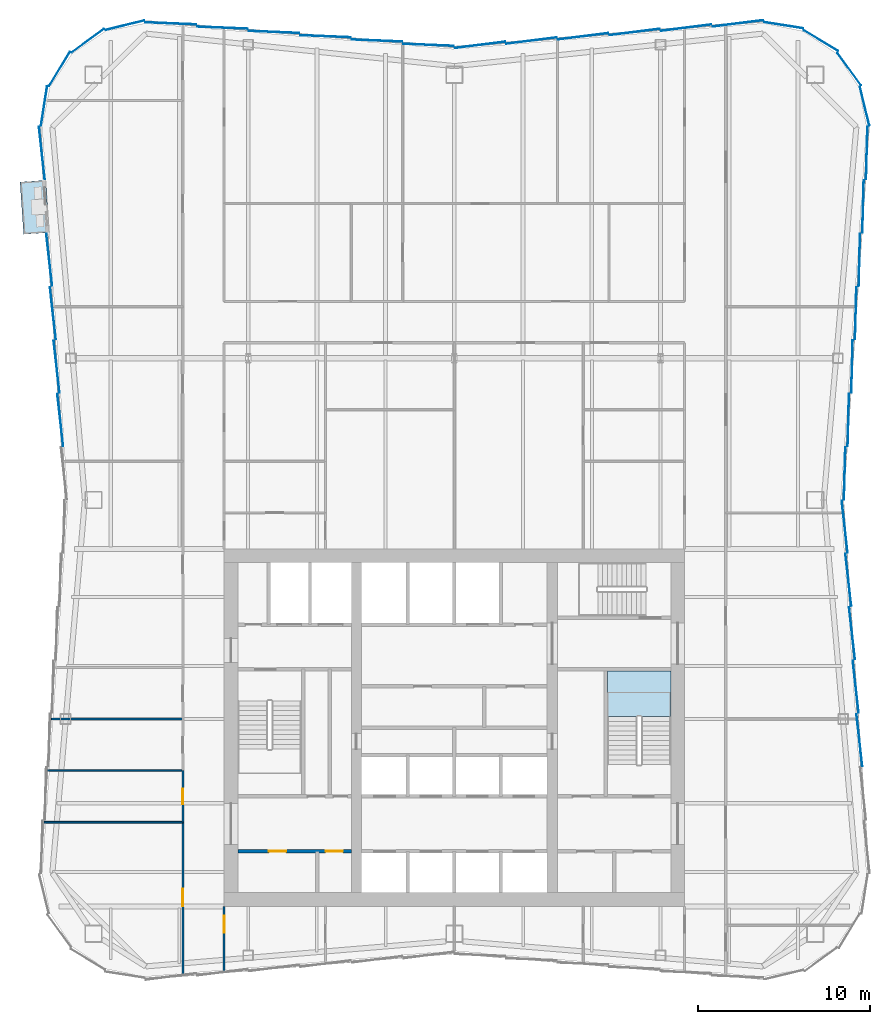
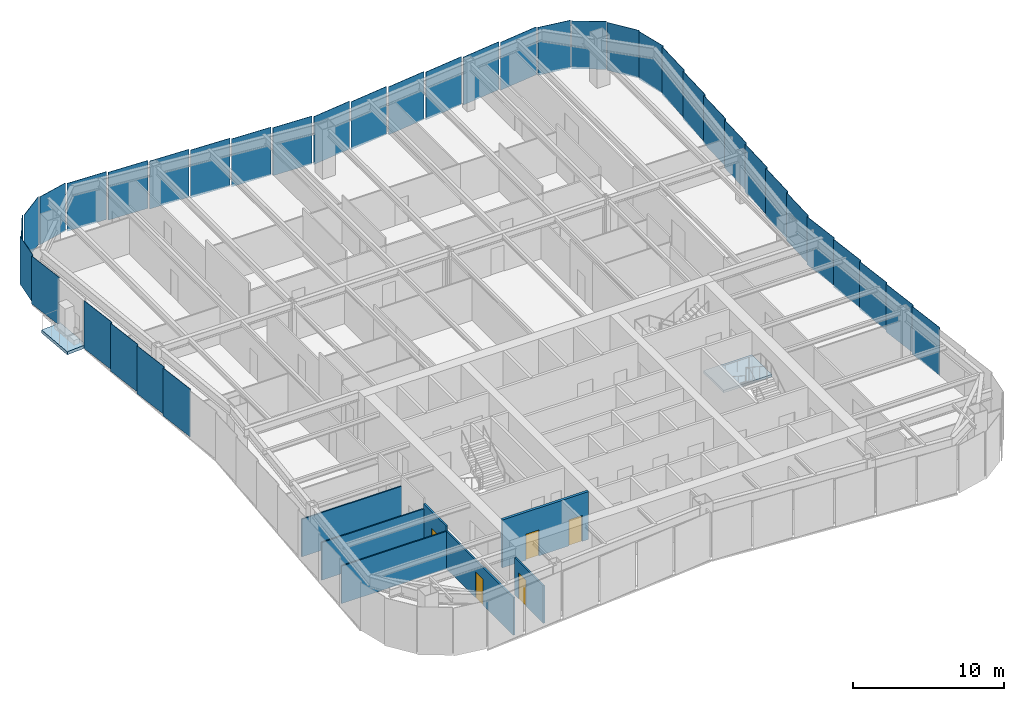
# One storey, part 5 of 11: 37 plates, 7 walls, 5 doors, 2 slabs, 5 openings, 6 elements without a shape of their own.
"""IFC4 building model written with IfcOpenShell, lengths in metres."""

from ifc_helpers import new_model, si_unit, direction, frame, frame_2d, origin, origin_2d, place, context, subcontext, project, spatial, polyline, rectangle, outline, extrude, material, layer, layer_set, type_object, element, fill, aggregate, save


model = new_model("IFC4")

# Units and contexts
model_context = context("Model", 3, precision=1e-05, world=origin(), true_north=direction((0.0, 1.0)))
body_context = subcontext(model_context, "Body", "Model", "MODEL_VIEW")
ifc_project = project(units=[si_unit("LENGTHUNIT", "METRE"), si_unit("AREAUNIT", "SQUARE_METRE"), si_unit("VOLUMEUNIT", "CUBIC_METRE"), si_unit("PLANEANGLEUNIT", "RADIAN"), si_unit("MASSUNIT", "GRAM", prefix="KILO")], contexts=[model_context])

# Site, building, storey
site_placement = place(None, origin())
site = spatial("IfcSite", under=ifc_project, at=site_placement, CompositionType="ELEMENT")
building_placement = place(site_placement, origin())
building = spatial("IfcBuilding", under=site, at=building_placement, Name="Verdant Reach Tower", CompositionType="ELEMENT")
storey_placement = place(building_placement, frame((0.0, 0.0, 258.0)))
storey = spatial("IfcBuildingStorey", under=building, at=storey_placement, Name="L59", CompositionType="ELEMENT", Elevation=258.0)

# Stair, slab
ifc_material_1 = material(Name="Concrete C40/50", Category="concrete")
stair_type = type_object("IfcStairType", Name="CO-STAIR", PredefinedType="HALF_TURN_STAIR", material=ifc_material_1)
stair_placement = place(storey_placement, origin())
stair = element("IfcStair", 1, at=stair_placement, inside=storey, type_object=stair_type, Name="L59 Exit stair 2", PredefinedType="HALF_TURN_STAIR")
ifc_layer_1 = layer(ifc_material_1, 0.199951171875)
ifc_layer_set_1 = layer_set([ifc_layer_1], Name="CO-STAIR-LANDING")
slab_type_1 = type_object("IfcSlabType", Name="CO-STAIR-LANDING", PredefinedType="LANDING", material=ifc_layer_set_1)
slab_1_placement = place(storey_placement, frame((0.0, 0.0, 1.800048828125)))
slab_1 = element("IfcSlab", 2, at=slab_1_placement, type_object=slab_type_1, Name="ST-2 landing 1", PredefinedType="LANDING", context=body_context, shape_type="SweptSolid", body=[
    extrude(outline(polyline([(12.60009765625, 28.64990234375), (12.60009765625, 31.300048828125), (8.89990234375, 31.300048828125), (8.89990234375, 28.64990234375), (12.60009765625, 28.64990234375)])), origin(), (0.0, 0.0, 1.0), 0.199951171875),
])
aggregate(stair, [slab_1])

# Slab
ifc_material_2 = material(Name="Concrete C35/45", Category="concrete")
ifc_layer_2 = layer(ifc_material_2, 0.25)
ifc_layer_set_2 = layer_set([ifc_layer_2], Name="EN-BALCONY SLAB")
slab_type_2 = type_object("IfcSlabType", Name="EN-BALCONY SLAB", PredefinedType="FLOOR", material=ifc_layer_set_2)
slab_2_placement = place(storey_placement, frame((0.0, 0.0, -0.25)))
element("IfcSlab", 3, at=slab_2_placement, inside=storey, type_object=slab_type_2, Name="Balcony slab 1, L59", PredefinedType="FLOOR", context=body_context, shape_type="SweptSolid", body=[
    extrude(outline(polyline([(-23.783447265625, 59.85888671875), (-23.57373046875, 56.819580078125), (-25.0703125, 56.71630859375), (-25.27978515625, 59.755615234375), (-23.783447265625, 59.85888671875)])), origin(), (0.0, 0.0, 1.0), 0.25),
])

# Curtain wall, plates
ifc_material_3 = material(Name="Anodised aluminium", Category="aluminium")
curtain_wall_type = type_object("IfcCurtainWallType", Name="EN-CW SYSTEM Z4", PredefinedType="NOTDEFINED", material=ifc_material_3)
curtain_wall_1_placement = place(storey_placement, origin())
curtain_wall_1 = element("IfcCurtainWall", 4, at=curtain_wall_1_placement, inside=storey, type_object=curtain_wall_type, Name="Curtain wall east, L59", PredefinedType="NOTDEFINED")
ifc_material_4 = material(Name="Tinted glass with champagne spandrel", Category="glass")
ifc_layer_3 = layer(ifc_material_4, 0.031982421875)
ifc_layer_set_3 = layer_set([ifc_layer_3], Name="EN-PANEL CHAMPAGNE")
plate_type_1 = type_object("IfcPlateType", Name="EN-PANEL CHAMPAGNE", PredefinedType="CURTAIN_PANEL", material=ifc_layer_set_3)
plate_1_placement = place(storey_placement, frame((23.575927734375, 27.275634765625, -0.221923828125), z_axis=(0.0, 0.0, 1.0), x_axis=(-0.110518162674, 0.993874104562, 0.0)))
plate_1 = element("IfcPlate", 5, at=plate_1_placement, type_object=plate_type_1, Name="Glass panel east face part 1 3.1, L59", PredefinedType="CURTAIN_PANEL", context=body_context, shape_type="SweptSolid", body=[
    extrude(rectangle(XDim=3.050537109375, YDim=0.031982421875, at=origin_2d()), origin(), (0.0, 0.0, 1.0), 3.8720703125),
])
plate_2_placement = place(storey_placement, frame((23.36181640625, 30.3828125, -0.221923828125), z_axis=(0.0, 0.0, 1.0), x_axis=(-0.110518162674, 0.993874104562, 0.0)))
plate_2 = element("IfcPlate", 6, at=plate_2_placement, type_object=plate_type_1, Name="Glass panel east face part 1 4.1, L59", PredefinedType="CURTAIN_PANEL", context=body_context, shape_type="SweptSolid", body=[
    extrude(rectangle(XDim=3.050537109375, YDim=0.031982421875, at=origin_2d()), origin(), (0.0, 0.0, 1.0), 3.8720703125),
])
plate_3_placement = place(storey_placement, frame((23.36181640625, 52.1171875, -0.221923828125), z_axis=(0.0, 0.0, 1.0), x_axis=(0.026965318308, 0.999636369691, 0.0)))
plate_3 = element("IfcPlate", 7, at=plate_3_placement, type_object=plate_type_1, Name="Glass panel east face part 2 4.1, L59", PredefinedType="CURTAIN_PANEL", context=body_context, shape_type="SweptSolid", body=[
    extrude(rectangle(XDim=3.050537109375, YDim=0.031982421875, at=origin_2d()), origin(), (0.0, 0.0, 1.0), 3.8720703125),
])
plate_4_placement = place(storey_placement, frame((23.575927734375, 55.224365234375, -0.221923828125), z_axis=(0.0, 0.0, 1.0), x_axis=(0.026965318308, 0.999636369691, 0.0)))
plate_4 = element("IfcPlate", 8, at=plate_4_placement, type_object=plate_type_1, Name="Glass panel east face part 2 5.1, L59", PredefinedType="CURTAIN_PANEL", context=body_context, shape_type="SweptSolid", body=[
    extrude(rectangle(XDim=3.050537109375, YDim=0.031982421875, at=origin_2d()), origin(), (0.0, 0.0, 1.0), 3.8720703125),
])

curtain_wall_2_placement = place(storey_placement, origin())
curtain_wall_2 = element("IfcCurtainWall", 9, at=curtain_wall_2_placement, inside=storey, type_object=curtain_wall_type, Name="Curtain wall north-east corner, L59", PredefinedType="NOTDEFINED")
plate_5_placement = place(storey_placement, frame((22.984375, 66.330322265625, -0.221923828125), z_axis=(0.0, 0.0, 1.0), x_axis=(-0.589926737254, 0.80745677573, 0.0)))
plate_5 = element("IfcPlate", 10, at=plate_5_placement, type_object=plate_type_1, Name="Glass panel north-east corner 2.1, L59", PredefinedType="CURTAIN_PANEL", context=body_context, shape_type="SweptSolid", body=[
    extrude(rectangle(XDim=2.32080078125, YDim=0.031982421875, at=origin_2d()), origin(), (0.0, 0.0, 1.0), 3.8720703125),
])
plate_6_placement = place(storey_placement, frame((21.330322265625, 67.984375, -0.221923828125), z_axis=(0.0, 0.0, 1.0), x_axis=(-0.853988708265, 0.520291539577, 0.0)))
plate_6 = element("IfcPlate", 11, at=plate_6_placement, type_object=plate_type_1, Name="Glass panel north-east corner 3.1, L59", PredefinedType="CURTAIN_PANEL", context=body_context, shape_type="SweptSolid", body=[
    extrude(rectangle(XDim=2.32080078125, YDim=0.031982421875, at=origin_2d()), origin(), (0.0, 0.0, 1.0), 3.8720703125),
])
plate_7_placement = place(storey_placement, frame((19.172607421875, 68.87939453125, -0.221923828125), z_axis=(0.0, 0.0, 1.0), x_axis=(-0.98802725693, 0.154279420415, 0.0)))
plate_7 = element("IfcPlate", 12, at=plate_7_placement, type_object=plate_type_1, Name="Glass panel north-east corner 4.1, L59", PredefinedType="CURTAIN_PANEL", context=body_context, shape_type="SweptSolid", body=[
    extrude(rectangle(XDim=2.314453125, YDim=0.031982421875, at=origin_2d()), origin(), (0.0, 0.0, 1.0), 3.8720703125),
])

curtain_wall_3_placement = place(storey_placement, origin())
curtain_wall_3 = element("IfcCurtainWall", 13, at=curtain_wall_3_placement, inside=storey, type_object=curtain_wall_type, Name="Curtain wall north, L59", PredefinedType="NOTDEFINED")
plate_8_placement = place(storey_placement, frame((16.49853515625, 68.98681640625, -0.221923828125), z_axis=(0.0, 0.0, 1.0), x_axis=(-0.992238962139, -0.124345655383, 0.0)))
plate_8 = element("IfcPlate", 14, at=plate_8_placement, type_object=plate_type_1, Name="Glass panel north face part 1 1.1, L59", PredefinedType="CURTAIN_PANEL", context=body_context, shape_type="SweptSolid", body=[
    extrude(rectangle(XDim=2.9619140625, YDim=0.031982421875, at=origin_2d()), origin(), (0.0, 0.0, 1.0), 3.8720703125),
])
plate_9_placement = place(storey_placement, frame((13.49072265625, 68.736572265625, -0.221923828125), z_axis=(0.0, 0.0, 1.0), x_axis=(-0.992194034542, -0.124703639961, 0.0)))
plate_9 = element("IfcPlate", 15, at=plate_9_placement, type_object=plate_type_1, Name="Glass panel north face part 1 2.1, L59", PredefinedType="CURTAIN_PANEL", context=body_context, shape_type="SweptSolid", body=[
    extrude(rectangle(XDim=2.9462890625, YDim=0.031982421875, at=origin_2d()), origin(), (0.0, 0.0, 1.0), 3.8720703125),
])
plate_10_placement = place(storey_placement, frame((-4.49072265625, 67.986572265625, -0.221923828125), z_axis=(0.0, 0.0, 1.0), x_axis=(-0.999149202059, 0.041241629766, 0.0)))
plate_10 = element("IfcPlate", 16, at=plate_10_placement, type_object=plate_type_1, Name="Glass panel north face part 2 2.1, L59", PredefinedType="CURTAIN_PANEL", context=body_context, shape_type="SweptSolid", body=[
    extrude(rectangle(XDim=2.9462890625, YDim=0.031982421875, at=origin_2d()), origin(), (0.0, 0.0, 1.0), 3.8720703125),
])
plate_11_placement = place(storey_placement, frame((-7.49072265625, 68.236572265625, -0.221923828125), z_axis=(0.0, 0.0, 1.0), x_axis=(-0.999149202059, 0.041241629766, 0.0)))
plate_11 = element("IfcPlate", 17, at=plate_11_placement, type_object=plate_type_1, Name="Glass panel north face part 2 3.1, L59", PredefinedType="CURTAIN_PANEL", context=body_context, shape_type="SweptSolid", body=[
    extrude(rectangle(XDim=2.9462890625, YDim=0.031982421875, at=origin_2d()), origin(), (0.0, 0.0, 1.0), 3.8720703125),
])
plate_12_placement = place(storey_placement, frame((-10.49072265625, 68.486572265625, -0.221923828125), z_axis=(0.0, 0.0, 1.0), x_axis=(-0.999149202059, 0.041241629766, 0.0)))
plate_12 = element("IfcPlate", 18, at=plate_12_placement, type_object=plate_type_1, Name="Glass panel north face part 2 4.1, L59", PredefinedType="CURTAIN_PANEL", context=body_context, shape_type="SweptSolid", body=[
    extrude(rectangle(XDim=2.9462890625, YDim=0.031982421875, at=origin_2d()), origin(), (0.0, 0.0, 1.0), 3.8720703125),
])

curtain_wall_4_placement = place(storey_placement, origin())
curtain_wall_4 = element("IfcCurtainWall", 19, at=curtain_wall_4_placement, inside=storey, type_object=curtain_wall_type, Name="Curtain wall north-west corner, L59", PredefinedType="NOTDEFINED")
plate_13_placement = place(storey_placement, frame((-19.172607421875, 68.87939453125, -0.221923828125), z_axis=(0.0, 0.0, 1.0), x_axis=(-0.971652337104, -0.236414330786, 0.0)))
plate_13 = element("IfcPlate", 20, at=plate_13_placement, type_object=plate_type_1, Name="Glass panel north-west corner 1.1, L59", PredefinedType="CURTAIN_PANEL", context=body_context, shape_type="SweptSolid", body=[
    extrude(rectangle(XDim=2.314453125, YDim=0.031982421875, at=origin_2d()), origin(), (0.0, 0.0, 1.0), 3.8720703125),
])
plate_14_placement = place(storey_placement, frame((-21.330322265625, 67.984375, -0.221923828125), z_axis=(0.0, 0.0, 1.0), x_axis=(-0.80745677573, -0.589926737254, 0.0)))
plate_14 = element("IfcPlate", 21, at=plate_14_placement, type_object=plate_type_1, Name="Glass panel north-west corner 2.1, L59", PredefinedType="CURTAIN_PANEL", context=body_context, shape_type="SweptSolid", body=[
    extrude(rectangle(XDim=2.32080078125, YDim=0.031982421875, at=origin_2d()), origin(), (0.0, 0.0, 1.0), 3.8720703125),
])

# Curtain wall, plate
curtain_wall_5_placement = place(storey_placement, origin())
curtain_wall_5 = element("IfcCurtainWall", 22, at=curtain_wall_5_placement, inside=storey, type_object=curtain_wall_type, Name="Curtain wall west, L59", PredefinedType="NOTDEFINED")
plate_15_placement = place(storey_placement, frame((-22.93310546875, 45.903076171875, -0.221923828125), z_axis=(0.0, 0.0, 1.0), x_axis=(0.110518162674, -0.993874104562, 0.0)))
plate_15 = element("IfcPlate", 23, at=plate_15_placement, type_object=plate_type_1, Name="Glass panel west face part 1 6.1, L59", PredefinedType="CURTAIN_PANEL", context=body_context, shape_type="SweptSolid", body=[
    extrude(rectangle(XDim=3.050537109375, YDim=0.031982421875, at=origin_2d()), origin(), (0.0, 0.0, 1.0), 3.8720703125),
])

# Plate
ifc_material_5 = material(Name="Tinted glass with copper spandrel", Category="glass")
ifc_layer_4 = layer(ifc_material_5, 0.031982421875)
ifc_layer_set_4 = layer_set([ifc_layer_4], Name="EN-PANEL COPPER")
plate_type_2 = type_object("IfcPlateType", Name="EN-PANEL COPPER", PredefinedType="CURTAIN_PANEL", material=ifc_layer_set_4)
plate_16_placement = place(storey_placement, frame((23.1474609375, 33.48974609375, -0.221923828125), z_axis=(0.0, 0.0, 1.0), x_axis=(-0.110518162674, 0.993874104562, 0.0)))
plate_16 = element("IfcPlate", 24, at=plate_16_placement, type_object=plate_type_2, Name="Glass panel east face part 1 5.1, L59", PredefinedType="CURTAIN_PANEL", context=body_context, shape_type="SweptSolid", body=[
    extrude(rectangle(XDim=3.050537109375, YDim=0.031982421875, at=origin_2d()), origin(), (0.0, 0.0, 1.0), 3.8720703125),
])

plate_17_placement = place(storey_placement, frame((22.93310546875, 36.596923828125, -0.221923828125), z_axis=(0.0, 0.0, 1.0), x_axis=(-0.110518162674, 0.993874104562, 0.0)))
plate_17 = element("IfcPlate", 25, at=plate_17_placement, type_object=plate_type_2, Name="Glass panel east face part 1 6.1, L59", PredefinedType="CURTAIN_PANEL", context=body_context, shape_type="SweptSolid", body=[
    extrude(rectangle(XDim=3.050537109375, YDim=0.031982421875, at=origin_2d()), origin(), (0.0, 0.0, 1.0), 3.8720703125),
])

plate_18_placement = place(storey_placement, frame((23.790283203125, 58.33154296875, -0.221923828125), z_axis=(0.0, 0.0, 1.0), x_axis=(0.026965318308, 0.999636369691, 0.0)))
plate_18 = element("IfcPlate", 26, at=plate_18_placement, type_object=plate_type_2, Name="Glass panel east face part 2 6.1, L59", PredefinedType="CURTAIN_PANEL", context=body_context, shape_type="SweptSolid", body=[
    extrude(rectangle(XDim=3.050537109375, YDim=0.031982421875, at=origin_2d()), origin(), (0.0, 0.0, 1.0), 3.8720703125),
])

plate_19_placement = place(storey_placement, frame((24.004638671875, 61.446044921875, -0.221923828125), z_axis=(0.0, 0.0, 1.0), x_axis=(0.026651253217, 0.999644792265, 0.0)))
plate_19 = element("IfcPlate", 27, at=plate_19_placement, type_object=plate_type_2, Name="Glass panel east face part 2 7.1, L59", PredefinedType="CURTAIN_PANEL", context=body_context, shape_type="SweptSolid", body=[
    extrude(rectangle(XDim=3.0654296875, YDim=0.031982421875, at=origin_2d()), origin(), (0.0, 0.0, 1.0), 3.8720703125),
])

plate_20_placement = place(storey_placement, frame((10.49072265625, 68.486572265625, -0.221923828125), z_axis=(0.0, 0.0, 1.0), x_axis=(-0.992194034542, -0.124703639961, 0.0)))
plate_20 = element("IfcPlate", 28, at=plate_20_placement, type_object=plate_type_2, Name="Glass panel north face part 1 3.1, L59", PredefinedType="CURTAIN_PANEL", context=body_context, shape_type="SweptSolid", body=[
    extrude(rectangle(XDim=2.9462890625, YDim=0.031982421875, at=origin_2d()), origin(), (0.0, 0.0, 1.0), 3.8720703125),
])

plate_21_placement = place(storey_placement, frame((7.49072265625, 68.236572265625, -0.221923828125), z_axis=(0.0, 0.0, 1.0), x_axis=(-0.992194034542, -0.124703639961, 0.0)))
plate_21 = element("IfcPlate", 29, at=plate_21_placement, type_object=plate_type_2, Name="Glass panel north face part 1 4.1, L59", PredefinedType="CURTAIN_PANEL", context=body_context, shape_type="SweptSolid", body=[
    extrude(rectangle(XDim=2.9462890625, YDim=0.031982421875, at=origin_2d()), origin(), (0.0, 0.0, 1.0), 3.8720703125),
])

plate_22_placement = place(storey_placement, frame((4.49072265625, 67.986572265625, -0.221923828125), z_axis=(0.0, 0.0, 1.0), x_axis=(-0.992194034542, -0.124703639961, 0.0)))
plate_22 = element("IfcPlate", 30, at=plate_22_placement, type_object=plate_type_2, Name="Glass panel north face part 1 5.1, L59", PredefinedType="CURTAIN_PANEL", context=body_context, shape_type="SweptSolid", body=[
    extrude(rectangle(XDim=2.9462890625, YDim=0.031982421875, at=origin_2d()), origin(), (0.0, 0.0, 1.0), 3.8720703125),
])

plate_23_placement = place(storey_placement, frame((-13.49072265625, 68.736572265625, -0.221923828125), z_axis=(0.0, 0.0, 1.0), x_axis=(-0.999149202059, 0.041241629766, 0.0)))
plate_23 = element("IfcPlate", 31, at=plate_23_placement, type_object=plate_type_2, Name="Glass panel north face part 2 5.1, L59", PredefinedType="CURTAIN_PANEL", context=body_context, shape_type="SweptSolid", body=[
    extrude(rectangle(XDim=2.9462890625, YDim=0.031982421875, at=origin_2d()), origin(), (0.0, 0.0, 1.0), 3.8720703125),
])

plate_24_placement = place(storey_placement, frame((-16.49853515625, 68.98681640625, -0.221923828125), z_axis=(0.0, 0.0, 1.0), x_axis=(-0.999164016711, 0.040881141246, 0.0)))
plate_24 = element("IfcPlate", 32, at=plate_24_placement, type_object=plate_type_2, Name="Glass panel north face part 2 6.1, L59", PredefinedType="CURTAIN_PANEL", context=body_context, shape_type="SweptSolid", body=[
    extrude(rectangle(XDim=2.9619140625, YDim=0.031982421875, at=origin_2d()), origin(), (0.0, 0.0, 1.0), 3.8720703125),
])

plate_25_placement = place(storey_placement, frame((-22.984375, 66.330322265625, -0.221923828125), z_axis=(0.0, 0.0, 1.0), x_axis=(-0.520291539577, -0.853988708265, 0.0)))
plate_25 = element("IfcPlate", 33, at=plate_25_placement, type_object=plate_type_2, Name="Glass panel north-west corner 3.1, L59", PredefinedType="CURTAIN_PANEL", context=body_context, shape_type="SweptSolid", body=[
    extrude(rectangle(XDim=2.32080078125, YDim=0.031982421875, at=origin_2d()), origin(), (0.0, 0.0, 1.0), 3.8720703125),
])

plate_26_placement = place(storey_placement, frame((-23.87939453125, 64.173095703125, -0.221923828125), z_axis=(0.0, 0.0, 1.0), x_axis=(-0.154324690427, -0.988020187003, 0.0)))
plate_26 = element("IfcPlate", 34, at=plate_26_placement, type_object=plate_type_2, Name="Glass panel north-west corner 4.1, L59", PredefinedType="CURTAIN_PANEL", context=body_context, shape_type="SweptSolid", body=[
    extrude(rectangle(XDim=2.313720703125, YDim=0.031982421875, at=origin_2d()), origin(), (0.0, 0.0, 1.0), 3.8720703125),
])

aggregate(curtain_wall_4, [plate_13, plate_14, plate_25, plate_26])

plate_27_placement = place(storey_placement, frame((-24.004638671875, 61.446044921875, -0.221923828125), z_axis=(0.0, 0.0, 1.0), x_axis=(0.110205903836, -0.993908777886, 0.0)))
plate_27 = element("IfcPlate", 35, at=plate_27_placement, type_object=plate_type_2, Name="Glass panel west face part 1 1.1, L59", PredefinedType="CURTAIN_PANEL", context=body_context, shape_type="SweptSolid", body=[
    extrude(rectangle(XDim=3.0654296875, YDim=0.031982421875, at=origin_2d()), origin(), (0.0, 0.0, 1.0), 3.8720703125),
])

plate_28_placement = place(storey_placement, frame((-23.575927734375, 55.224365234375, -0.221923828125), z_axis=(0.0, 0.0, 1.0), x_axis=(0.110518162674, -0.993874104562, 0.0)))
plate_28 = element("IfcPlate", 36, at=plate_28_placement, type_object=plate_type_2, Name="Glass panel west face part 1 3.1, L59", PredefinedType="CURTAIN_PANEL", context=body_context, shape_type="SweptSolid", body=[
    extrude(rectangle(XDim=3.050537109375, YDim=0.031982421875, at=origin_2d()), origin(), (0.0, 0.0, 1.0), 3.8720703125),
])

ifc_material_6 = material(Name="Tinted glass with dark bronze spandrel", Category="glass")
ifc_layer_5 = layer(ifc_material_6, 0.031982421875)
ifc_layer_set_5 = layer_set([ifc_layer_5], Name="EN-PANEL DARK")
plate_type_3 = type_object("IfcPlateType", Name="EN-PANEL DARK", PredefinedType="CURTAIN_PANEL", material=ifc_layer_set_5)
plate_29_placement = place(storey_placement, frame((22.718994140625, 39.7001953125, -0.221923828125), z_axis=(0.0, 0.0, 1.0), x_axis=(-0.110603065042, 0.993864659802, 0.0)))
plate_29 = element("IfcPlate", 37, at=plate_29_placement, type_object=plate_type_3, Name="Glass panel east face part 1 7.1, L59", PredefinedType="CURTAIN_PANEL", context=body_context, shape_type="SweptSolid", body=[
    extrude(rectangle(XDim=3.042724609375, YDim=0.031982421875, at=origin_2d()), origin(), (0.0, 0.0, 1.0), 3.8720703125),
])

plate_30_placement = place(storey_placement, frame((22.718994140625, 42.7998046875, -0.221923828125), z_axis=(0.0, 0.0, 1.0), x_axis=(0.027050713229, 0.999634062502, 0.0)))
plate_30 = element("IfcPlate", 38, at=plate_30_placement, type_object=plate_type_3, Name="Glass panel east face part 2 1.1, L59", PredefinedType="CURTAIN_PANEL", context=body_context, shape_type="SweptSolid", body=[
    extrude(rectangle(XDim=3.042724609375, YDim=0.031982421875, at=origin_2d()), origin(), (0.0, 0.0, 1.0), 3.8720703125),
])

plate_31_placement = place(storey_placement, frame((22.93310546875, 45.903076171875, -0.221923828125), z_axis=(0.0, 0.0, 1.0), x_axis=(0.026965318308, 0.999636369691, 0.0)))
plate_31 = element("IfcPlate", 39, at=plate_31_placement, type_object=plate_type_3, Name="Glass panel east face part 2 2.1, L59", PredefinedType="CURTAIN_PANEL", context=body_context, shape_type="SweptSolid", body=[
    extrude(rectangle(XDim=3.050537109375, YDim=0.031982421875, at=origin_2d()), origin(), (0.0, 0.0, 1.0), 3.8720703125),
])

plate_32_placement = place(storey_placement, frame((23.1474609375, 49.01025390625, -0.221923828125), z_axis=(0.0, 0.0, 1.0), x_axis=(0.026965318308, 0.999636369691, 0.0)))
plate_32 = element("IfcPlate", 40, at=plate_32_placement, type_object=plate_type_3, Name="Glass panel east face part 2 3.1, L59", PredefinedType="CURTAIN_PANEL", context=body_context, shape_type="SweptSolid", body=[
    extrude(rectangle(XDim=3.050537109375, YDim=0.031982421875, at=origin_2d()), origin(), (0.0, 0.0, 1.0), 3.8720703125),
])

aggregate(curtain_wall_1, [plate_1, plate_2, plate_16, plate_17, plate_29, plate_30, plate_31, plate_32, plate_3, plate_4, plate_18, plate_19])

plate_33_placement = place(storey_placement, frame((23.87939453125, 64.173095703125, -0.221923828125), z_axis=(0.0, 0.0, 1.0), x_axis=(-0.236458850433, 0.971641503875, 0.0)))
plate_33 = element("IfcPlate", 41, at=plate_33_placement, type_object=plate_type_3, Name="Glass panel north-east corner 1.1, L59", PredefinedType="CURTAIN_PANEL", context=body_context, shape_type="SweptSolid", body=[
    extrude(rectangle(XDim=2.313720703125, YDim=0.031982421875, at=origin_2d()), origin(), (0.0, 0.0, 1.0), 3.8720703125),
])

aggregate(curtain_wall_2, [plate_33, plate_5, plate_6, plate_7])

plate_34_placement = place(storey_placement, frame((1.495361328125, 67.73681640625, -0.221923828125), z_axis=(0.0, 0.0, 1.0), x_axis=(-0.992177950603, -0.124831543836, 0.0)))
plate_34 = element("IfcPlate", 42, at=plate_34_placement, type_object=plate_type_3, Name="Glass panel north face part 1 6.1, L59", PredefinedType="CURTAIN_PANEL", context=body_context, shape_type="SweptSolid", body=[
    extrude(rectangle(XDim=2.93701171875, YDim=0.031982421875, at=origin_2d()), origin(), (0.0, 0.0, 1.0), 3.8720703125),
])

plate_35_placement = place(storey_placement, frame((-1.495361328125, 67.73681640625, -0.221923828125), z_axis=(0.0, 0.0, 1.0), x_axis=(-0.999143877249, 0.041370430933, 0.0)))
plate_35 = element("IfcPlate", 43, at=plate_35_placement, type_object=plate_type_3, Name="Glass panel north face part 2 1.1, L59", PredefinedType="CURTAIN_PANEL", context=body_context, shape_type="SweptSolid", body=[
    extrude(rectangle(XDim=2.93701171875, YDim=0.031982421875, at=origin_2d()), origin(), (0.0, 0.0, 1.0), 3.8720703125),
])

aggregate(curtain_wall_3, [plate_8, plate_9, plate_20, plate_21, plate_22, plate_34, plate_35, plate_10, plate_11, plate_12, plate_23, plate_24])

plate_36_placement = place(storey_placement, frame((-23.36181640625, 52.1171875, -0.221923828125), z_axis=(0.0, 0.0, 1.0), x_axis=(0.110518162674, -0.993874104562, 0.0)))
plate_36 = element("IfcPlate", 44, at=plate_36_placement, type_object=plate_type_3, Name="Glass panel west face part 1 4.1, L59", PredefinedType="CURTAIN_PANEL", context=body_context, shape_type="SweptSolid", body=[
    extrude(rectangle(XDim=3.050537109375, YDim=0.031982421875, at=origin_2d()), origin(), (0.0, 0.0, 1.0), 3.8720703125),
])

plate_37_placement = place(storey_placement, frame((-23.1474609375, 49.01025390625, -0.221923828125), z_axis=(0.0, 0.0, 1.0), x_axis=(0.110518162674, -0.993874104562, 0.0)))
plate_37 = element("IfcPlate", 45, at=plate_37_placement, type_object=plate_type_3, Name="Glass panel west face part 1 5.1, L59", PredefinedType="CURTAIN_PANEL", context=body_context, shape_type="SweptSolid", body=[
    extrude(rectangle(XDim=3.050537109375, YDim=0.031982421875, at=origin_2d()), origin(), (0.0, 0.0, 1.0), 3.8720703125),
])

aggregate(curtain_wall_5, [plate_27, plate_28, plate_36, plate_37, plate_15])

# Wall, openings, doors
ifc_material_7 = material(Name="Gypsum board on steel studs", Category="steel")
ifc_layer_6 = layer(ifc_material_7, 0.199951171875)
ifc_layer_set_6 = layer_set([ifc_layer_6], Name="CO-WALL-ROOM")
wall_type_1 = type_object("IfcWallType", Name="CO-WALL-ROOM", PredefinedType="PARTITIONING", material=ifc_layer_set_6)
wall_1_placement = place(storey_placement, frame((-12.60009765625, 20.800048828125, 0.0), z_axis=(0.0, 0.0, 1.0), x_axis=(1.0, 0.0, 0.0)))
wall_1 = element("IfcWall", 46, at=wall_1_placement, inside=storey, type_object=wall_type_1, Name="Core partition, L59", PredefinedType="PARTITIONING", context=body_context, shape_type="SweptSolid", body=[
    extrude(rectangle(XDim=6.60009765625, YDim=0.199951171875, at=frame_2d((3.300048828125, 0.0))), origin(), (0.0, 0.0, 1.0), 3.8701171875),
])
opening_1_placement = place(wall_1_placement, frame((1.81005859375, 0.0, 0.0)))
opening_1 = element("IfcOpeningElement", 47, at=opening_1_placement, cuts=wall_1, Name="Opening CD", PredefinedType="OPENING", context=body_context, shape_type="SweptSolid", body=[
    extrude(rectangle(XDim=1.0, YDim=2.10009765625, at=frame_2d((0.5, 1.050048828125))), frame((0.0, 0.10986328125, 0.0), z_axis=(0.0, -1.0, 0.0), x_axis=(1.0, 0.0, 0.0)), (0.0, 0.0, 1.0), 0.219970703125),
])
opening_2_placement = place(wall_1_placement, frame((5.110107421875, 0.0, 0.0)))
opening_2 = element("IfcOpeningElement", 48, at=opening_2_placement, cuts=wall_1, Name="Opening CD", PredefinedType="OPENING", context=body_context, shape_type="SweptSolid", body=[
    extrude(rectangle(XDim=1.0, YDim=2.10009765625, at=frame_2d((0.5, 1.050048828125))), frame((0.0, 0.10986328125, 0.0), z_axis=(0.0, -1.0, 0.0), x_axis=(1.0, 0.0, 0.0)), (0.0, 0.0, 1.0), 0.219970703125),
])
ifc_material_8 = material(Name="Timber", Category="wood")
door_type_1 = type_object("IfcDoorType", Name="CO-DOOR-ROOM", OperationType="NOTDEFINED", PredefinedType="DOOR", material=ifc_material_8)
door_1_placement = place(opening_1_placement, origin())
door_1 = element("IfcDoor", 49, at=door_1_placement, inside=storey, type_object=door_type_1, Name="Core room door, L59", OperationType="SINGLE_SWING_LEFT", OverallHeight=2.10009765625, OverallWidth=1.0, PredefinedType="DOOR", context=body_context, shape_type="SweptSolid", body=[
    extrude(rectangle(XDim=1.0, YDim=2.10009765625, at=frame_2d((0.5, 1.050048828125))), frame((0.0, 0.02490234375, 0.0), z_axis=(0.0, -1.0, 0.0), x_axis=(1.0, 0.0, 0.0)), (0.0, 0.0, 1.0), 0.050048828125),
])
fill(opening_1, door_1)
door_2_placement = place(opening_2_placement, origin())
door_2 = element("IfcDoor", 50, at=door_2_placement, inside=storey, type_object=door_type_1, Name="Core room door, L59", OperationType="SINGLE_SWING_LEFT", OverallHeight=2.10009765625, OverallWidth=1.0, PredefinedType="DOOR", context=body_context, shape_type="SweptSolid", body=[
    extrude(rectangle(XDim=1.0, YDim=2.10009765625, at=frame_2d((0.5, 1.050048828125))), frame((0.0, 0.02490234375, 0.0), z_axis=(0.0, -1.0, 0.0), x_axis=(1.0, 0.0, 0.0)), (0.0, 0.0, 1.0), 0.050048828125),
])
fill(opening_2, door_2)

# Walls
ifc_layer_7 = layer(ifc_material_7, 0.10009765625)
ifc_layer_set_7 = layer_set([ifc_layer_7], Name="FL-W1 Partition 100")
wall_type_2 = type_object("IfcWallType", Name="FL-W1 Partition 100", PredefinedType="PARTITIONING", material=ifc_layer_set_7)
wall_2_placement = place(storey_placement, frame((-15.800048828125, 22.5, 0.0), z_axis=(0.0, 0.0, 1.0), x_axis=(-1.0, 0.0, 0.0)))
element("IfcWall", 51, at=wall_2_placement, inside=storey, type_object=wall_type_2, Name="Partition 59.34", PredefinedType="PARTITIONING", context=body_context, shape_type="SweptSolid", body=[
    extrude(rectangle(XDim=8.072998046875, YDim=0.10009765625, at=frame_2d((4.03662109375, 0.0))), origin(), (0.0, 0.0, 1.0), 3.0400390625),
])
wall_3_placement = place(storey_placement, frame((-15.800048828125, 25.5, 0.0), z_axis=(0.0, 0.0, 1.0), x_axis=(-1.0, 0.0, 0.0)))
element("IfcWall", 52, at=wall_3_placement, inside=storey, type_object=wall_type_2, Name="Partition 59.35", PredefinedType="PARTITIONING", context=body_context, shape_type="SweptSolid", body=[
    extrude(rectangle(XDim=7.8662109375, YDim=0.10009765625, at=frame_2d((3.93310546875, 0.0))), origin(), (0.0, 0.0, 1.0), 3.0400390625),
])
wall_4_placement = place(storey_placement, frame((-15.800048828125, 28.5, 0.0), z_axis=(0.0, 0.0, 1.0), x_axis=(-1.0, 0.0, 0.0)))
element("IfcWall", 53, at=wall_4_placement, inside=storey, type_object=wall_type_2, Name="Partition 59.36", PredefinedType="PARTITIONING", context=body_context, shape_type="SweptSolid", body=[
    extrude(rectangle(XDim=7.6591796875, YDim=0.10009765625, at=frame_2d((3.82958984375, 0.0))), origin(), (0.0, 0.0, 1.0), 3.0400390625),
])

# Wall, opening, door
ifc_material_9 = material(Name="Gypsum board on steel studs, fire rated", Category="steel")
ifc_layer_8 = layer(ifc_material_9, 0.125)
ifc_layer_set_8 = layer_set([ifc_layer_8], Name="FL-W2 Corridor wall 125")
wall_type_3 = type_object("IfcWallType", Name="FL-W2 Corridor wall 125", PredefinedType="PARTITIONING", material=ifc_layer_set_8)
wall_5_placement = place(storey_placement, frame((-15.800048828125, 13.603271484375, 0.0), z_axis=(0.0, 0.0, 1.0), x_axis=(0.0, 1.0, 0.0)))
wall_5 = element("IfcWall", 54, at=wall_5_placement, inside=storey, type_object=wall_type_3, Name="Partition 59.01", PredefinedType="PARTITIONING", context=body_context, shape_type="SweptSolid", body=[
    extrude(rectangle(XDim=8.896728515625, YDim=0.125, at=frame_2d((4.4482421875, 0.0))), origin(), (0.0, 0.0, 1.0), 3.0400390625),
])
opening_3_placement = place(wall_5_placement, frame((4.013427734375, 0.0, 0.0)))
opening_3 = element("IfcOpeningElement", 55, at=opening_3_placement, cuts=wall_5, Name="Opening D2", PredefinedType="OPENING", context=body_context, shape_type="SweptSolid", body=[
    extrude(rectangle(XDim=1.0, YDim=2.10009765625, at=frame_2d((0.5, 1.050048828125))), frame((0.0, 0.072509765625, 0.0), z_axis=(0.0, -1.0, 0.0), x_axis=(1.0, 0.0, 0.0)), (0.0, 0.0, 1.0), 0.14501953125),
])
ifc_material_10 = material(Name="Timber door leaf, fire rated", Category="wood")
door_type_2 = type_object("IfcDoorType", Name="FL-D2 Entrance door 1000x2100 FD30", OperationType="NOTDEFINED", PredefinedType="DOOR", material=ifc_material_10)
door_3_placement = place(opening_3_placement, origin())
door_3 = element("IfcDoor", 56, at=door_3_placement, inside=storey, type_object=door_type_2, Name="Door 59-001", OperationType="SINGLE_SWING_RIGHT", OverallHeight=2.10009765625, OverallWidth=1.0, PredefinedType="DOOR", context=body_context, shape_type="SweptSolid", body=[
    extrude(rectangle(XDim=1.0, YDim=2.10009765625, at=frame_2d((0.5, 1.050048828125))), frame((0.0, 0.02490234375, 0.0), z_axis=(0.0, -1.0, 0.0), x_axis=(1.0, 0.0, 0.0)), (0.0, 0.0, 1.0), 0.050048828125),
])
fill(opening_3, door_3)

wall_6_placement = place(storey_placement, frame((-15.800048828125, 22.5, 0.0), z_axis=(0.0, 0.0, 1.0), x_axis=(0.0, 1.0, 0.0)))
wall_6 = element("IfcWall", 57, at=wall_6_placement, inside=storey, type_object=wall_type_3, Name="Partition 59.02", PredefinedType="PARTITIONING", context=body_context, shape_type="SweptSolid", body=[
    extrude(rectangle(XDim=3.0, YDim=0.125, at=frame_2d((1.5, 0.0))), origin(), (0.0, 0.0, 1.0), 3.43994140625),
])
opening_4_placement = place(wall_6_placement, frame((1.050048828125, 0.0, 0.0)))
opening_4 = element("IfcOpeningElement", 58, at=opening_4_placement, cuts=wall_6, Name="Opening D1", PredefinedType="OPENING", context=body_context, shape_type="SweptSolid", body=[
    extrude(rectangle(XDim=0.89990234375, YDim=2.10009765625, at=frame_2d((0.449951171875, 1.050048828125))), frame((0.0, 0.072509765625, 0.0), z_axis=(0.0, -1.0, 0.0), x_axis=(1.0, 0.0, 0.0)), (0.0, 0.0, 1.0), 0.14501953125),
])
ifc_material_11 = material(Name="Painted timber door leaf", Category="wood")
door_type_3 = type_object("IfcDoorType", Name="FL-D1 Door 900x2100", OperationType="NOTDEFINED", PredefinedType="DOOR", material=ifc_material_11)
door_4_placement = place(opening_4_placement, origin())
door_4 = element("IfcDoor", 59, at=door_4_placement, inside=storey, type_object=door_type_3, Name="Door 59-002", OperationType="SINGLE_SWING_RIGHT", OverallHeight=2.10009765625, OverallWidth=0.89990234375, PredefinedType="DOOR", context=body_context, shape_type="SweptSolid", body=[
    extrude(rectangle(XDim=0.89990234375, YDim=2.10009765625, at=frame_2d((0.449951171875, 1.050048828125))), frame((0.0, 0.02490234375, 0.0), z_axis=(0.0, -1.0, 0.0), x_axis=(1.0, 0.0, 0.0)), (0.0, 0.0, 1.0), 0.050048828125),
])
fill(opening_4, door_4)

wall_7_placement = place(storey_placement, frame((-13.39990234375, 17.60009765625, 0.0), z_axis=(0.0, 0.0, 1.0), x_axis=(0.0, -1.0, 0.0)))
wall_7 = element("IfcWall", 60, at=wall_7_placement, inside=storey, type_object=wall_type_3, Name="Partition 59.14", PredefinedType="PARTITIONING", context=body_context, shape_type="SweptSolid", body=[
    extrude(rectangle(XDim=3.796875, YDim=0.125, at=frame_2d((1.8984375, 0.0))), origin(), (0.0, 0.0, 1.0), 3.0400390625),
])
opening_5_placement = place(wall_7_placement, frame((0.533203125, 0.0, 0.0)))
opening_5 = element("IfcOpeningElement", 61, at=opening_5_placement, cuts=wall_7, Name="Opening D2", PredefinedType="OPENING", context=body_context, shape_type="SweptSolid", body=[
    extrude(rectangle(XDim=1.0, YDim=2.10009765625, at=frame_2d((0.5, 1.050048828125))), frame((0.0, 0.072509765625, 0.0), z_axis=(0.0, -1.0, 0.0), x_axis=(1.0, 0.0, 0.0)), (0.0, 0.0, 1.0), 0.14501953125),
])
door_5_placement = place(opening_5_placement, origin())
door_5 = element("IfcDoor", 62, at=door_5_placement, inside=storey, type_object=door_type_2, Name="Door 59-014", OperationType="SINGLE_SWING_LEFT", OverallHeight=2.10009765625, OverallWidth=1.0, PredefinedType="DOOR", context=body_context, shape_type="SweptSolid", body=[
    extrude(rectangle(XDim=1.0, YDim=2.10009765625, at=frame_2d((0.5, 1.050048828125))), frame((0.0, 0.02490234375, 0.0), z_axis=(0.0, -1.0, 0.0), x_axis=(1.0, 0.0, 0.0)), (0.0, 0.0, 1.0), 0.050048828125),
])
fill(opening_5, door_5)

save(model, "model.ifc")
